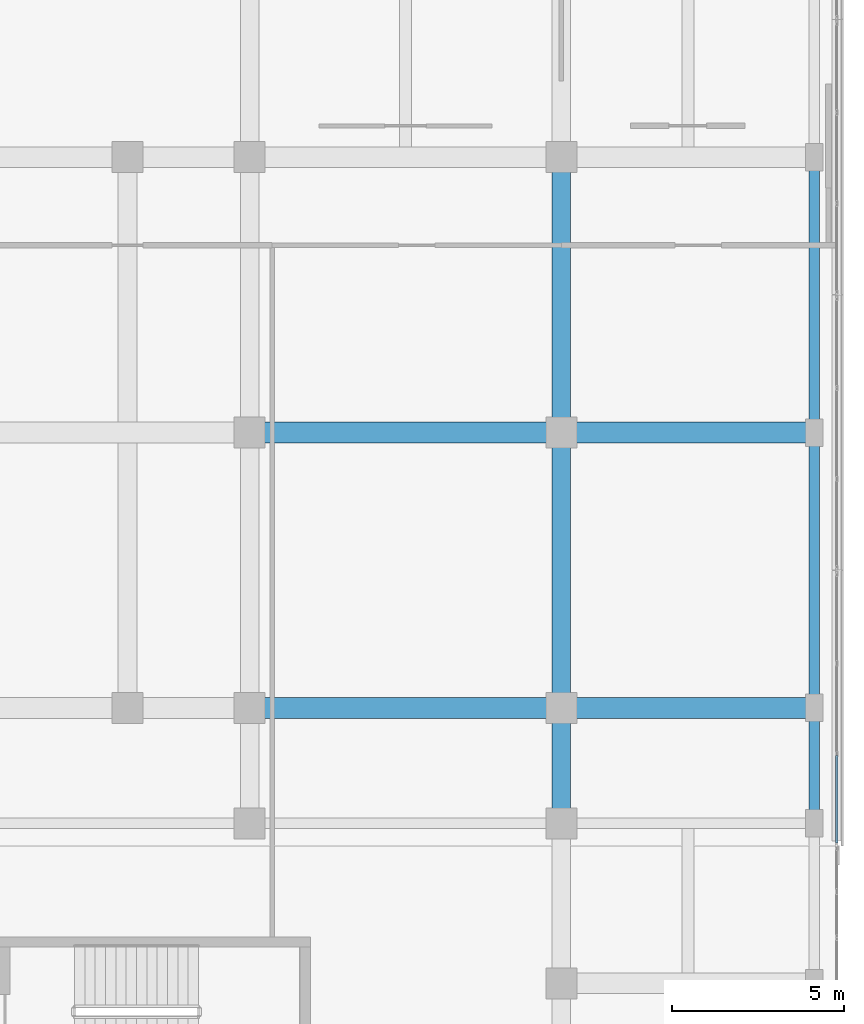
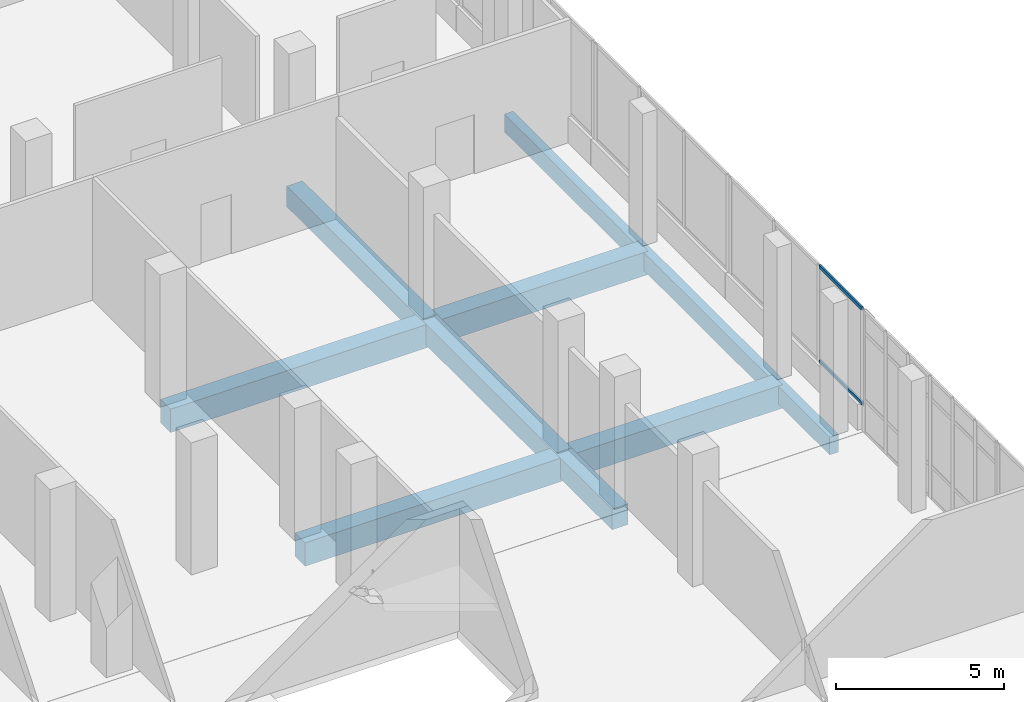
# One storey, part 112 of 168: 10 beams, 2 members, 1 element without a shape of its own.
"""IFC4 building model written with IfcOpenShell, lengths in metres."""

from ifc_helpers import new_model, si_unit, direction, frame, origin, origin_2d, place, context, subcontext, project, spatial, rectangle, hollow_rectangle, extrude, material, material_profile, profile_set, type_object, element, aggregate, save


model = new_model("IFC4")

# Units and contexts
model_context = context("Model", 3, precision=1e-05, world=origin(), true_north=direction((0.0, 1.0)))
body_context = subcontext(model_context, "Body", "Model", "MODEL_VIEW")
ifc_project = project(units=[si_unit("LENGTHUNIT", "METRE"), si_unit("AREAUNIT", "SQUARE_METRE"), si_unit("VOLUMEUNIT", "CUBIC_METRE"), si_unit("PLANEANGLEUNIT", "RADIAN"), si_unit("MASSUNIT", "GRAM", prefix="KILO")], contexts=[model_context])

# Site, building, storey
site_placement = place(None, origin())
site = spatial("IfcSite", under=ifc_project, at=site_placement, CompositionType="ELEMENT")
building_placement = place(site_placement, origin())
building = spatial("IfcBuilding", under=site, at=building_placement, Name="Selatvlak General Hospital", CompositionType="ELEMENT")
storey_placement = place(building_placement, frame((0.0, 0.0, 5.39990234375)))
storey = spatial("IfcBuildingStorey", under=building, at=storey_placement, Name="L01", CompositionType="ELEMENT", Elevation=5.39990234375)

# Beams
ifc_material_1 = material(Name="Concrete C40/50", Category="concrete")
ifc_material_profile_1 = material_profile(ifc_material_1, rectangle(XDim=0.60009765625, YDim=0.85009765625, at=origin_2d()), Name="RC-BM 600x850")
ifc_profile_set_1 = profile_set([ifc_material_profile_1], Name="Concrete C40/50")
beam_type_1 = type_object("IfcBeamType", Name="BM-G01", PredefinedType="BEAM", material=ifc_profile_set_1)
beam_1_placement = place(storey_placement, frame((164.949951171875, 92.0, -0.744873046875), z_axis=(1.0, 0.0, 0.0), x_axis=(0.0, 1.0, 0.0)))
element("IfcBeam", 1, at=beam_1_placement, inside=storey, type_object=beam_type_1, Name="Beam BMR-L01-0470", PredefinedType="BEAM", context=body_context, shape_type="SweptSolid", body=[
    extrude(rectangle(XDim=0.60009765625, YDim=0.85009765625, at=origin_2d()), origin(), (0.0, 0.0, 1.0), 9.050048828125),
])
beam_2_placement = place(storey_placement, frame((174.0, 92.0, -0.744873046875), z_axis=(1.0, 0.0, 0.0), x_axis=(0.0, 1.0, 0.0)))
element("IfcBeam", 2, at=beam_2_placement, inside=storey, type_object=beam_type_1, Name="Beam BMR-L01-0471", PredefinedType="BEAM", context=body_context, shape_type="SweptSolid", body=[
    extrude(rectangle(XDim=0.60009765625, YDim=0.85009765625, at=origin_2d()), origin(), (0.0, 0.0, 1.0), 7.35009765625),
])
beam_3_placement = place(storey_placement, frame((164.949951171875, 100.0, -0.744873046875), z_axis=(1.0, 0.0, 0.0), x_axis=(0.0, 1.0, 0.0)))
element("IfcBeam", 3, at=beam_3_placement, inside=storey, type_object=beam_type_1, Name="Beam BMR-L01-0490", PredefinedType="BEAM", context=body_context, shape_type="SweptSolid", body=[
    extrude(rectangle(XDim=0.60009765625, YDim=0.85009765625, at=origin_2d()), origin(), (0.0, 0.0, 1.0), 9.050048828125),
])
beam_4_placement = place(storey_placement, frame((174.0, 100.0, -0.744873046875), z_axis=(1.0, 0.0, 0.0), x_axis=(0.0, 1.0, 0.0)))
element("IfcBeam", 4, at=beam_4_placement, inside=storey, type_object=beam_type_1, Name="Beam BMR-L01-0491", PredefinedType="BEAM", context=body_context, shape_type="SweptSolid", body=[
    extrude(rectangle(XDim=0.60009765625, YDim=0.85009765625, at=origin_2d()), origin(), (0.0, 0.0, 1.0), 7.35009765625),
])
ifc_material_profile_2 = material_profile(ifc_material_1, rectangle(XDim=0.550048828125, YDim=0.75, at=origin_2d()), Name="RC-BM 550x750")
ifc_profile_set_2 = profile_set([ifc_material_profile_2], Name="Concrete C40/50")
beam_type_2 = type_object("IfcBeamType", Name="BM-G02", PredefinedType="BEAM", material=ifc_profile_set_2)
beam_5_placement = place(storey_placement, frame((174.0, 88.64990234375, -0.69482421875), z_axis=(0.0, 1.0, 0.0), x_axis=(-1.0, 0.0, 0.0)))
element("IfcBeam", 5, at=beam_5_placement, inside=storey, type_object=beam_type_2, Name="Beam BMR-L01-0678", PredefinedType="BEAM", context=body_context, shape_type="SweptSolid", body=[
    extrude(rectangle(XDim=0.550048828125, YDim=0.75, at=origin_2d()), origin(), (0.0, 0.0, 1.0), 3.35009765625),
])
for number, where, z_axis, x_axis, name in (
    (6, (174.0, 92.0, -0.69482421875), (0.0, 1.0, 0.0), (-1.0, 0.0, 0.0), "Beam BMR-L01-0679"),
    (7, (174.0, 100.0, -0.69482421875), (0.0, 1.0, 0.0), (-1.0, 0.0, 0.0), "Beam BMR-L01-0680"),
):
    element("IfcBeam", number, at=place(storey_placement, frame(where, z_axis=z_axis, x_axis=x_axis)), inside=storey, type_object=beam_type_2, Name=name, PredefinedType="BEAM", context=body_context, shape_type="SweptSolid", body=[
        extrude(rectangle(XDim=0.550048828125, YDim=0.75, at=origin_2d()), origin(), (0.0, 0.0, 1.0), 8.0),
    ])
ifc_material_profile_3 = material_profile(ifc_material_1, rectangle(XDim=0.300048828125, YDim=0.64990234375, at=origin_2d()), Name="RC-SP 300x650")
ifc_profile_set_3 = profile_set([ifc_material_profile_3], Name="Concrete C40/50")
beam_type_3 = type_object("IfcBeamType", Name="BM-SP1", PredefinedType="SPANDREL", material=ifc_profile_set_3)
beam_6_placement = place(storey_placement, frame((181.35009765625, 88.64990234375, -0.64501953125), z_axis=(0.0, 1.0, 0.0), x_axis=(-1.0, 0.0, 0.0)))
element("IfcBeam", 8, at=beam_6_placement, inside=storey, type_object=beam_type_3, Name="Beam BMR-L01-0688", PredefinedType="SPANDREL", context=body_context, shape_type="SweptSolid", body=[
    extrude(rectangle(XDim=0.300048828125, YDim=0.64990234375, at=origin_2d()), origin(), (0.0, 0.0, 1.0), 3.35009765625),
])
for number, where, z_axis, x_axis, name in (
    (9, (181.35009765625, 92.0, -0.64501953125), (0.0, 1.0, 0.0), (-1.0, 0.0, 0.0), "Beam BMR-L01-0689"),
    (10, (181.35009765625, 100.0, -0.64501953125), (0.0, 1.0, 0.0), (-1.0, 0.0, 0.0), "Beam BMR-L01-0690"),
):
    element("IfcBeam", number, at=place(storey_placement, frame(where, z_axis=z_axis, x_axis=x_axis)), inside=storey, type_object=beam_type_3, Name=name, PredefinedType="SPANDREL", context=body_context, shape_type="SweptSolid", body=[
        extrude(rectangle(XDim=0.300048828125, YDim=0.64990234375, at=origin_2d()), origin(), (0.0, 0.0, 1.0), 8.0),
    ])

# Curtain wall, members
ifc_material_2 = material(Name="Solar-control Low-E double glazing", Category="glass")
curtain_wall_type = type_object("IfcCurtainWallType", Name="CW-CW-02", PredefinedType="USERDEFINED", material=ifc_material_2)
curtain_wall_placement = place(storey_placement, origin())
curtain_wall = element("IfcCurtainWall", 11, at=curtain_wall_placement, inside=storey, type_object=curtain_wall_type, Name="Glazed facade curtain wall CW-L01-0135", ObjectType="UNITISED CURTAIN WALL", PredefinedType="USERDEFINED")
ifc_material_3 = material(Name="Dark anodised aluminium mullion", Category="aluminium")
ifc_material_profile_4 = material_profile(ifc_material_3, hollow_rectangle(XDim=0.06494140625, YDim=0.1201171875, WallThickness=0.00390625, at=origin_2d()), Name="AL-TRN 65x120x4")
ifc_profile_set_4 = profile_set([ifc_material_profile_4], Name="Dark anodised aluminium mullion")
member_type = type_object("IfcMemberType", Name="CWT-01", PredefinedType="USERDEFINED", material=ifc_profile_set_4)
member_1_placement = place(storey_placement, frame((182.0, 90.62353515625, 0.97265625), z_axis=(0.0, -1.0, 0.0), x_axis=(1.0, 0.0, 0.0)))
member_1 = element("IfcMember", 12, at=member_1_placement, type_object=member_type, Name="CW-02 transom 3.1", ObjectType="TRANSOM", PredefinedType="USERDEFINED", context=body_context, shape_type="SweptSolid", body=[
    extrude(hollow_rectangle(XDim=0.06494140625, YDim=0.1201171875, WallThickness=0.00390625, at=origin_2d()), origin(), (0.0, 0.0, 1.0), 2.54248046875),
])
member_2_placement = place(storey_placement, frame((182.0, 90.62353515625, 4.41259765625), z_axis=(0.0, -1.0, 0.0), x_axis=(1.0, 0.0, 0.0)))
member_2 = element("IfcMember", 13, at=member_2_placement, type_object=member_type, Name="CW-02 transom 3.2", ObjectType="TRANSOM", PredefinedType="USERDEFINED", context=body_context, shape_type="SweptSolid", body=[
    extrude(hollow_rectangle(XDim=0.06494140625, YDim=0.1201171875, WallThickness=0.00390625, at=origin_2d()), origin(), (0.0, 0.0, 1.0), 2.54248046875),
])
aggregate(curtain_wall, [member_1, member_2])

save(model, "model.ifc")
